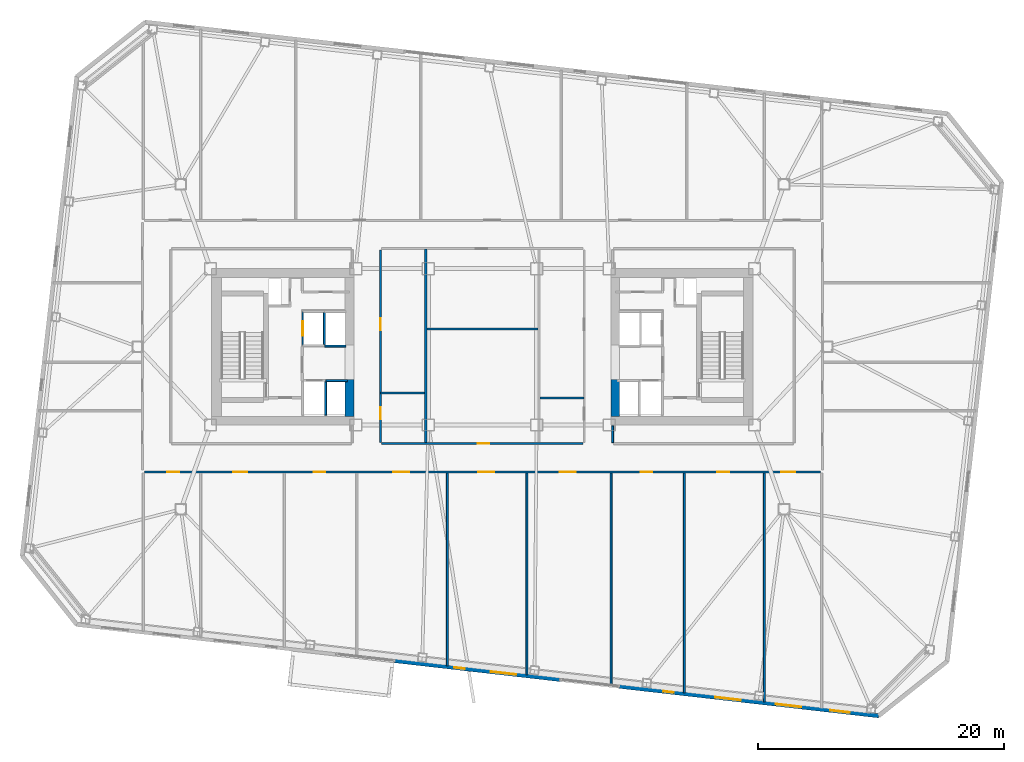
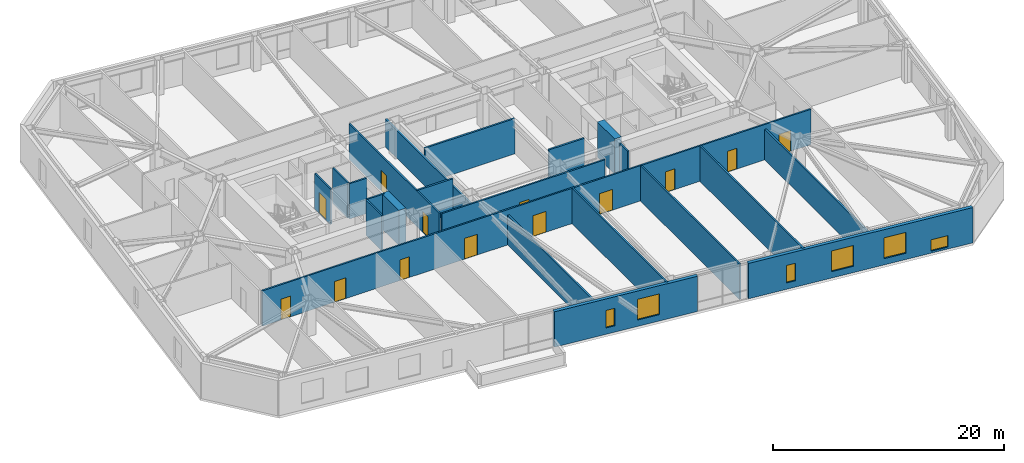
# One storey, part 12 of 20: 22 walls, 13 doors, 6 windows, 19 openings.
"""IFC4 building model written with IfcOpenShell, lengths in metres."""

from ifc_helpers import new_model, si_unit, direction, frame, frame_2d, origin, place, context, subcontext, project, spatial, rectangle, extrude, material, layer, layer_set, type_object, element, fill, save


model = new_model("IFC4")

# Units and contexts
model_context = context("Model", 3, precision=1e-05, world=origin(), true_north=direction((0.0, 1.0)))
body_context = subcontext(model_context, "Body", "Model", "MODEL_VIEW")
ifc_project = project(units=[si_unit("LENGTHUNIT", "METRE"), si_unit("AREAUNIT", "SQUARE_METRE"), si_unit("VOLUMEUNIT", "CUBIC_METRE"), si_unit("PLANEANGLEUNIT", "RADIAN"), si_unit("MASSUNIT", "GRAM", prefix="KILO")], contexts=[model_context])

# Site, building, storey
site_placement = place(None, origin())
site = spatial("IfcSite", under=ifc_project, at=site_placement, CompositionType="ELEMENT")
building_placement = place(site_placement, origin())
building = spatial("IfcBuilding", under=site, at=building_placement, Name="Tavrogorsk Clinical Tower", CompositionType="ELEMENT")
storey_placement = place(building_placement, frame((0.0, 0.0, 105.39990234375)))
storey = spatial("IfcBuildingStorey", under=building, at=storey_placement, Name="L23", CompositionType="ELEMENT", Elevation=105.39990234375)

# Wall, openings, doors
ifc_material_1 = material(Name="Lightweight concrete blockwork B15", Category="masonry")
ifc_layer_1 = layer(ifc_material_1, 0.159912109375)
ifc_layer_set_1 = layer_set([ifc_layer_1], Name="Lightweight concrete blockwork B15")
wall_type_1 = type_object("IfcWallType", Name="PartitionWall_160", PredefinedType="PARTITIONING", material=ifc_layer_set_1)
wall_1_placement = place(storey_placement, frame((27.465087890625, -10.179931640625, 0.0), z_axis=(0.0, 0.0, 1.0), x_axis=(-1.0, 0.0, 0.0)))
wall_1 = element("IfcWall", 1, at=wall_1_placement, inside=storey, type_object=wall_type_1, Name="L23 Corridor Partition 04", PredefinedType="PARTITIONING", context=body_context, shape_type="SweptSolid", body=[
    extrude(rectangle(XDim=54.93017578125, YDim=0.159912109375, at=frame_2d((27.465087890625, 0.0))), origin(), (0.0, 0.0, 1.0), 3.739990234375),
])
opening_1_placement = place(wall_1_placement, frame((52.10595703125, 0.0, 0.0)))
opening_1 = element("IfcOpeningElement", 2, at=opening_1_placement, cuts=wall_1, Name="Opening ID-02", PredefinedType="OPENING", context=body_context, shape_type="SweptSolid", body=[
    extrude(rectangle(XDim=0.949951171875, YDim=2.199951171875, at=frame_2d((0.47509765625, 1.10009765625))), frame((0.0, 0.08984375, 0.0), z_axis=(0.0, -1.0, 0.0), x_axis=(1.0, 0.0, 0.0)), (0.0, 0.0, 1.0), 0.179931640625),
])
opening_2_placement = place(wall_1_placement, frame((46.574951171875, 0.0, 0.0)))
opening_2 = element("IfcOpeningElement", 3, at=opening_2_placement, cuts=wall_1, Name="Opening ID-06", PredefinedType="OPENING", context=body_context, shape_type="SweptSolid", body=[
    extrude(rectangle(XDim=1.14990234375, YDim=2.199951171875, at=frame_2d((0.574951171875, 1.10009765625))), frame((0.0, 0.08984375, 0.0), z_axis=(0.0, -1.0, 0.0), x_axis=(1.0, 0.0, 0.0)), (0.0, 0.0, 1.0), 0.179931640625),
])
opening_3_placement = place(wall_1_placement, frame((40.22509765625, 0.0, 0.0)))
opening_3 = element("IfcOpeningElement", 4, at=opening_3_placement, cuts=wall_1, Name="Opening ID-02", PredefinedType="OPENING", context=body_context, shape_type="SweptSolid", body=[
    extrude(rectangle(XDim=0.949951171875, YDim=2.199951171875, at=frame_2d((0.47509765625, 1.10009765625))), frame((0.0, 0.08984375, 0.0), z_axis=(0.0, -1.0, 0.0), x_axis=(1.0, 0.0, 0.0)), (0.0, 0.0, 1.0), 0.179931640625),
])
opening_4_placement = place(wall_1_placement, frame((33.425048828125, 0.0, 0.0)))
opening_4 = element("IfcOpeningElement", 5, at=opening_4_placement, cuts=wall_1, Name="Opening ID-01", PredefinedType="OPENING", context=body_context, shape_type="SweptSolid", body=[
    extrude(rectangle(XDim=1.300048828125, YDim=2.199951171875, at=frame_2d((0.64990234375, 1.10009765625))), frame((0.0, 0.08984375, 0.0), z_axis=(0.0, -1.0, 0.0), x_axis=(1.0, 0.0, 0.0)), (0.0, 0.0, 1.0), 0.179931640625),
])
opening_5_placement = place(wall_1_placement, frame((26.52490234375, 0.0, 0.0)))
opening_5 = element("IfcOpeningElement", 6, at=opening_5_placement, cuts=wall_1, Name="Opening ID-01", PredefinedType="OPENING", context=body_context, shape_type="SweptSolid", body=[
    extrude(rectangle(XDim=1.300048828125, YDim=2.199951171875, at=frame_2d((0.64990234375, 1.10009765625))), frame((0.0, 0.08984375, 0.0), z_axis=(0.0, -1.0, 0.0), x_axis=(1.0, 0.0, 0.0)), (0.0, 0.0, 1.0), 0.179931640625),
])
opening_6_placement = place(wall_1_placement, frame((19.875, 0.0, 0.0)))
opening_6 = element("IfcOpeningElement", 7, at=opening_6_placement, cuts=wall_1, Name="Opening ID-01", PredefinedType="OPENING", context=body_context, shape_type="SweptSolid", body=[
    extrude(rectangle(XDim=1.300048828125, YDim=2.199951171875, at=frame_2d((0.64990234375, 1.10009765625))), frame((0.0, 0.08984375, 0.0), z_axis=(0.0, -1.0, 0.0), x_axis=(1.0, 0.0, 0.0)), (0.0, 0.0, 1.0), 0.179931640625),
])
opening_7_placement = place(wall_1_placement, frame((13.64990234375, 0.0, 0.0)))
opening_7 = element("IfcOpeningElement", 8, at=opening_7_placement, cuts=wall_1, Name="Opening ID-02", PredefinedType="OPENING", context=body_context, shape_type="SweptSolid", body=[
    extrude(rectangle(XDim=0.949951171875, YDim=2.199951171875, at=frame_2d((0.47509765625, 1.10009765625))), frame((0.0, 0.08984375, 0.0), z_axis=(0.0, -1.0, 0.0), x_axis=(1.0, 0.0, 0.0)), (0.0, 0.0, 1.0), 0.179931640625),
])
opening_8_placement = place(wall_1_placement, frame((7.425048828125, 0.0, 0.0)))
opening_8 = element("IfcOpeningElement", 9, at=opening_8_placement, cuts=wall_1, Name="Opening ID-02", PredefinedType="OPENING", context=body_context, shape_type="SweptSolid", body=[
    extrude(rectangle(XDim=0.949951171875, YDim=2.199951171875, at=frame_2d((0.47509765625, 1.10009765625))), frame((0.0, 0.08984375, 0.0), z_axis=(0.0, -1.0, 0.0), x_axis=(1.0, 0.0, 0.0)), (0.0, 0.0, 1.0), 0.179931640625),
])
opening_9_placement = place(wall_1_placement, frame((2.044189453125, 0.0, 0.0)))
opening_9 = element("IfcOpeningElement", 10, at=opening_9_placement, cuts=wall_1, Name="Opening ID-06", PredefinedType="OPENING", context=body_context, shape_type="SweptSolid", body=[
    extrude(rectangle(XDim=1.14990234375, YDim=2.199951171875, at=frame_2d((0.574951171875, 1.10009765625))), frame((0.0, 0.08984375, 0.0), z_axis=(0.0, -1.0, 0.0), x_axis=(1.0, 0.0, 0.0)), (0.0, 0.0, 1.0), 0.179931640625),
])
ifc_material_2 = material(Name="Laminated timber leaf on aluminium frame", Category="wood")
door_type_1 = type_object("IfcDoorType", Name="InteriorDoor_ID02_950", OperationType="NOTDEFINED", PredefinedType="DOOR", material=ifc_material_2)
door_1_placement = place(opening_1_placement, origin())
door_1 = element("IfcDoor", 11, at=door_1_placement, inside=storey, type_object=door_type_1, Name="L23 South Clinical Case Seminar Room 01 Door", OperationType="SINGLE_SWING_RIGHT", OverallHeight=2.199951171875, OverallWidth=0.949951171875, PredefinedType="DOOR", context=body_context, shape_type="SweptSolid", body=[
    extrude(rectangle(XDim=0.949951171875, YDim=2.199951171875, at=frame_2d((0.47509765625, 1.10009765625))), frame((0.0, 0.02490234375, 0.0), z_axis=(0.0, -1.0, 0.0), x_axis=(1.0, 0.0, 0.0)), (0.0, 0.0, 1.0), 0.050048828125),
])
fill(opening_1, door_1)
door_2_placement = place(opening_3_placement, origin())
door_2 = element("IfcDoor", 12, at=door_2_placement, inside=storey, type_object=door_type_1, Name="L23 South Attending Physician Office 02B Door", OperationType="SINGLE_SWING_RIGHT", OverallHeight=2.199951171875, OverallWidth=0.949951171875, PredefinedType="DOOR", context=body_context, shape_type="SweptSolid", body=[
    extrude(rectangle(XDim=0.949951171875, YDim=2.199951171875, at=frame_2d((0.47509765625, 1.10009765625))), frame((0.0, 0.02490234375, 0.0), z_axis=(0.0, -1.0, 0.0), x_axis=(1.0, 0.0, 0.0)), (0.0, 0.0, 1.0), 0.050048828125),
])
fill(opening_3, door_2)
door_3_placement = place(opening_7_placement, origin())
door_3 = element("IfcDoor", 13, at=door_3_placement, inside=storey, type_object=door_type_1, Name="L23 South Clean Medication & Prep Room 04B Door", OperationType="SINGLE_SWING_RIGHT", OverallHeight=2.199951171875, OverallWidth=0.949951171875, PredefinedType="DOOR", context=body_context, shape_type="SweptSolid", body=[
    extrude(rectangle(XDim=0.949951171875, YDim=2.199951171875, at=frame_2d((0.47509765625, 1.10009765625))), frame((0.0, 0.02490234375, 0.0), z_axis=(0.0, -1.0, 0.0), x_axis=(1.0, 0.0, 0.0)), (0.0, 0.0, 1.0), 0.050048828125),
])
fill(opening_7, door_3)
door_4_placement = place(opening_8_placement, origin())
door_4 = element("IfcDoor", 14, at=door_4_placement, inside=storey, type_object=door_type_1, Name="L23 South Soiled Utility & Sluice Room 05 Door", OperationType="SINGLE_SWING_LEFT", OverallHeight=2.199951171875, OverallWidth=0.949951171875, PredefinedType="DOOR", context=body_context, shape_type="SweptSolid", body=[
    extrude(rectangle(XDim=0.949951171875, YDim=2.199951171875, at=frame_2d((0.47509765625, 1.10009765625))), frame((0.0, 0.02490234375, 0.0), z_axis=(0.0, -1.0, 0.0), x_axis=(1.0, 0.0, 0.0)), (0.0, 0.0, 1.0), 0.050048828125),
])
fill(opening_8, door_4)
ifc_material_3 = material(Name="Antibacterial HPL procedure door on aluminium frame", Category="aluminium")
door_type_2 = type_object("IfcDoorType", Name="LabDoor_ID06_1150", OperationType="NOTDEFINED", PredefinedType="DOOR", material=ifc_material_3)
door_5_placement = place(opening_2_placement, origin())
door_5 = element("IfcDoor", 15, at=door_5_placement, inside=storey, type_object=door_type_2, Name="L23 South Staff Rest & Nourishment Lounge 02A Door", OperationType="SINGLE_SWING_LEFT", OverallHeight=2.199951171875, OverallWidth=1.14990234375, PredefinedType="DOOR", context=body_context, shape_type="SweptSolid", body=[
    extrude(rectangle(XDim=1.14990234375, YDim=2.199951171875, at=frame_2d((0.574951171875, 1.10009765625))), frame((0.0, 0.02490234375, 0.0), z_axis=(0.0, -1.0, 0.0), x_axis=(1.0, 0.0, 0.0)), (0.0, 0.0, 1.0), 0.050048828125),
])
fill(opening_2, door_5)
door_6_placement = place(opening_9_placement, origin())
door_6 = element("IfcDoor", 16, at=door_6_placement, inside=storey, type_object=door_type_2, Name="L23 South Clinical Case Seminar Room 06 Door", OperationType="SINGLE_SWING_RIGHT", OverallHeight=2.199951171875, OverallWidth=1.14990234375, PredefinedType="DOOR", context=body_context, shape_type="SweptSolid", body=[
    extrude(rectangle(XDim=1.14990234375, YDim=2.199951171875, at=frame_2d((0.574951171875, 1.10009765625))), frame((0.0, 0.02490234375, 0.0), z_axis=(0.0, -1.0, 0.0), x_axis=(1.0, 0.0, 0.0)), (0.0, 0.0, 1.0), 0.050048828125),
])
fill(opening_9, door_6)
ifc_material_4 = material(Name="Antibacterial HPL medical leaf on aluminium frame", Category="aluminium")
door_type_3 = type_object("IfcDoorType", Name="WardBedDoor_ID01_1300", OperationType="NOTDEFINED", PredefinedType="DOOR", material=ifc_material_4)
door_7_placement = place(opening_4_placement, origin())
door_7 = element("IfcDoor", 17, at=door_7_placement, inside=storey, type_object=door_type_3, Name="L23 South Bariatric Observation Ward 03A Door", OperationType="SINGLE_SWING_LEFT", OverallHeight=2.199951171875, OverallWidth=1.300048828125, PredefinedType="DOOR", context=body_context, shape_type="SweptSolid", body=[
    extrude(rectangle(XDim=1.300048828125, YDim=2.199951171875, at=frame_2d((0.64990234375, 1.10009765625))), frame((0.0, 0.02490234375, 0.0), z_axis=(0.0, -1.0, 0.0), x_axis=(1.0, 0.0, 0.0)), (0.0, 0.0, 1.0), 0.050048828125),
])
fill(opening_4, door_7)
door_8_placement = place(opening_5_placement, origin())
door_8 = element("IfcDoor", 18, at=door_8_placement, inside=storey, type_object=door_type_3, Name="L23 South Acute Medical Ward 03B Door", OperationType="SINGLE_SWING_RIGHT", OverallHeight=2.199951171875, OverallWidth=1.300048828125, PredefinedType="DOOR", context=body_context, shape_type="SweptSolid", body=[
    extrude(rectangle(XDim=1.300048828125, YDim=2.199951171875, at=frame_2d((0.64990234375, 1.10009765625))), frame((0.0, 0.02490234375, 0.0), z_axis=(0.0, -1.0, 0.0), x_axis=(1.0, 0.0, 0.0)), (0.0, 0.0, 1.0), 0.050048828125),
])
fill(opening_5, door_8)
door_9_placement = place(opening_6_placement, origin())
door_9 = element("IfcDoor", 19, at=door_9_placement, inside=storey, type_object=door_type_3, Name="L23 South Surgical Step-Down Ward 04A Door", OperationType="SINGLE_SWING_LEFT", OverallHeight=2.199951171875, OverallWidth=1.300048828125, PredefinedType="DOOR", context=body_context, shape_type="SweptSolid", body=[
    extrude(rectangle(XDim=1.300048828125, YDim=2.199951171875, at=frame_2d((0.64990234375, 1.10009765625))), frame((0.0, 0.02490234375, 0.0), z_axis=(0.0, -1.0, 0.0), x_axis=(1.0, 0.0, 0.0)), (0.0, 0.0, 1.0), 0.050048828125),
])
fill(opening_6, door_9)

# Wall
wall_2_placement = place(storey_placement, frame((10.580078125, -6.419921875, 0.0), z_axis=(0.0, 0.0, 1.0), x_axis=(0.0, -1.0, 0.0)))
element("IfcWall", 20, at=wall_2_placement, inside=storey, type_object=wall_type_1, Name="L23 Corridor Partition 07", PredefinedType="PARTITIONING", context=body_context, shape_type="SweptSolid", body=[
    extrude(rectangle(XDim=1.364990234375, YDim=0.159912109375, at=frame_2d((0.6826171875, 0.0))), origin(), (0.0, 0.0, 1.0), 3.739990234375),
])

# Wall, openings, doors
wall_3_placement = place(storey_placement, frame((-8.27001953125, 7.885009765625, 0.0), z_axis=(0.0, 0.0, 1.0), x_axis=(0.0, -1.0, 0.0)))
wall_3 = element("IfcWall", 21, at=wall_3_placement, inside=storey, type_object=wall_type_1, Name="L23 Corridor Partition 12", PredefinedType="PARTITIONING", context=body_context, shape_type="SweptSolid", body=[
    extrude(rectangle(XDim=15.669921875, YDim=0.159912109375, at=frame_2d((7.8349609375, 0.0))), origin(), (0.0, 0.0, 1.0), 3.739990234375),
])
opening_10_placement = place(wall_3_placement, frame((12.810791015625, 0.0, 0.0)))
opening_10 = element("IfcOpeningElement", 22, at=opening_10_placement, cuts=wall_3, Name="Opening ID-02", PredefinedType="OPENING", context=body_context, shape_type="SweptSolid", body=[
    extrude(rectangle(XDim=0.949951171875, YDim=2.199951171875, at=frame_2d((0.47509765625, 1.10009765625))), frame((0.0, 0.08984375, 0.0), z_axis=(0.0, -1.0, 0.0), x_axis=(1.0, 0.0, 0.0)), (0.0, 0.0, 1.0), 0.179931640625),
])
opening_11_placement = place(wall_3_placement, frame((5.5791015625, 0.0, 0.0)))
opening_11 = element("IfcOpeningElement", 23, at=opening_11_placement, cuts=wall_3, Name="Opening ID-02", PredefinedType="OPENING", context=body_context, shape_type="SweptSolid", body=[
    extrude(rectangle(XDim=0.949951171875, YDim=2.199951171875, at=frame_2d((0.47509765625, 1.10009765625))), frame((0.0, 0.08984375, 0.0), z_axis=(0.0, -1.0, 0.0), x_axis=(1.0, 0.0, 0.0)), (0.0, 0.0, 1.0), 0.179931640625),
])
door_10_placement = place(opening_10_placement, origin())
door_10 = element("IfcDoor", 24, at=door_10_placement, inside=storey, type_object=door_type_1, Name="L23 Accessible Patient Lavatory Door", OperationType="SINGLE_SWING_LEFT", OverallHeight=2.199951171875, OverallWidth=0.949951171875, PredefinedType="DOOR", context=body_context, shape_type="SweptSolid", body=[
    extrude(rectangle(XDim=0.949951171875, YDim=2.199951171875, at=frame_2d((0.47509765625, 1.10009765625))), frame((0.0, 0.02490234375, 0.0), z_axis=(0.0, -1.0, 0.0), x_axis=(1.0, 0.0, 0.0)), (0.0, 0.0, 1.0), 0.050048828125),
])
fill(opening_10, door_10)
door_11_placement = place(opening_11_placement, origin())
door_11 = element("IfcDoor", 25, at=door_11_placement, inside=storey, type_object=door_type_1, Name="L23 Ward Nourishment Pantry Door", OperationType="SINGLE_SWING_RIGHT", OverallHeight=2.199951171875, OverallWidth=0.949951171875, PredefinedType="DOOR", context=body_context, shape_type="SweptSolid", body=[
    extrude(rectangle(XDim=0.949951171875, YDim=2.199951171875, at=frame_2d((0.47509765625, 1.10009765625))), frame((0.0, 0.02490234375, 0.0), z_axis=(0.0, -1.0, 0.0), x_axis=(1.0, 0.0, 0.0)), (0.0, 0.0, 1.0), 0.050048828125),
])
fill(opening_11, door_11)

# Wall, opening, door
wall_4_placement = place(storey_placement, frame((-8.18505859375, -7.8701171875, 0.0), z_axis=(0.0, 0.0, 1.0), x_axis=(1.0, 0.0, 0.0)))
wall_4 = element("IfcWall", 26, at=wall_4_placement, inside=storey, type_object=wall_type_1, Name="L23 Corridor Partition 13", PredefinedType="PARTITIONING", context=body_context, shape_type="SweptSolid", body=[
    extrude(rectangle(XDim=16.3701171875, YDim=0.159912109375, at=frame_2d((8.18505859375, 0.0))), origin(), (0.0, 0.0, 1.0), 3.739990234375),
])
opening_12_placement = place(wall_4_placement, frame((7.794921875, 0.0, 0.0)))
opening_12 = element("IfcOpeningElement", 27, at=opening_12_placement, cuts=wall_4, Name="Opening ID-02", PredefinedType="OPENING", context=body_context, shape_type="SweptSolid", body=[
    extrude(rectangle(XDim=0.949951171875, YDim=2.199951171875, at=frame_2d((0.47509765625, 1.10009765625))), frame((0.0, 0.08984375, 0.0), z_axis=(0.0, -1.0, 0.0), x_axis=(1.0, 0.0, 0.0)), (0.0, 0.0, 1.0), 0.179931640625),
])
door_12_placement = place(opening_12_placement, origin())
door_12 = element("IfcDoor", 28, at=door_12_placement, inside=storey, type_object=door_type_1, Name="L23 Multidisciplinary Conference Room Door", OperationType="SINGLE_SWING_LEFT", OverallHeight=2.199951171875, OverallWidth=0.949951171875, PredefinedType="DOOR", context=body_context, shape_type="SweptSolid", body=[
    extrude(rectangle(XDim=0.949951171875, YDim=2.199951171875, at=frame_2d((0.47509765625, 1.10009765625))), frame((0.0, 0.02490234375, 0.0), z_axis=(0.0, -1.0, 0.0), x_axis=(1.0, 0.0, 0.0)), (0.0, 0.0, 1.0), 0.050048828125),
])
fill(opening_12, door_12)

# Walls
wall_5_placement = place(storey_placement, frame((3.60009765625, -26.655517578125, 0.0), z_axis=(0.0, 0.0, 1.0), x_axis=(0.0, 1.0, 0.0)))
element("IfcWall", 29, at=wall_5_placement, inside=storey, type_object=wall_type_1, Name="L23 South Room Partition 3", PredefinedType="PARTITIONING", context=body_context, shape_type="SweptSolid", body=[
    extrude(rectangle(XDim=16.390625, YDim=0.159912109375, at=frame_2d((8.1953125, 0.0))), origin(), (0.0, 0.0, 1.0), 3.739990234375),
])
wall_6_placement = place(storey_placement, frame((16.39990234375, -28.114013671875, 0.0), z_axis=(0.0, 0.0, 1.0), x_axis=(0.0, 1.0, 0.0)))
element("IfcWall", 30, at=wall_6_placement, inside=storey, type_object=wall_type_1, Name="L23 South Room Partition 4", PredefinedType="PARTITIONING", context=body_context, shape_type="SweptSolid", body=[
    extrude(rectangle(XDim=17.84912109375, YDim=0.159912109375, at=frame_2d((8.924560546875, 0.0))), origin(), (0.0, 0.0, 1.0), 3.739990234375),
])
wall_7_placement = place(storey_placement, frame((22.89990234375, -28.8544921875, 0.0), z_axis=(0.0, 0.0, 1.0), x_axis=(0.0, 1.0, 0.0)))
element("IfcWall", 31, at=wall_7_placement, inside=storey, type_object=wall_type_1, Name="L23 South Room Partition 5", PredefinedType="PARTITIONING", context=body_context, shape_type="SweptSolid", body=[
    extrude(rectangle(XDim=18.589599609375, YDim=0.159912109375, at=frame_2d((9.294921875, 0.0))), origin(), (0.0, 0.0, 1.0), 3.235107421875),
])
wall_8_placement = place(storey_placement, frame((-2.85009765625, -25.920654296875, 0.0), z_axis=(0.0, 0.0, 1.0), x_axis=(0.0, 1.0, 0.0)))
element("IfcWall", 32, at=wall_8_placement, inside=storey, type_object=wall_type_1, Name="L23 South Sub-Partition 3", PredefinedType="PARTITIONING", context=body_context, shape_type="SweptSolid", body=[
    extrude(rectangle(XDim=15.65576171875, YDim=0.159912109375, at=frame_2d((7.827880859375, 0.0))), origin(), (0.0, 0.0, 1.0), 3.1650390625),
])
wall_9_placement = place(storey_placement, frame((10.449951171875, -27.43603515625, 0.0), z_axis=(0.0, 0.0, 1.0), x_axis=(0.0, 1.0, 0.0)))
element("IfcWall", 33, at=wall_9_placement, inside=storey, type_object=wall_type_1, Name="L23 South Sub-Partition 4", PredefinedType="PARTITIONING", context=body_context, shape_type="SweptSolid", body=[
    extrude(rectangle(XDim=17.171142578125, YDim=0.159912109375, at=frame_2d((8.58544921875, 0.0))), origin(), (0.0, 0.0, 1.0), 3.739990234375),
])
ifc_material_5 = material(Name="Lightweight concrete blockwork B20", Category="masonry")
ifc_layer_2 = layer(ifc_material_5, 0.179931640625)
ifc_layer_set_2 = layer_set([ifc_layer_2], Name="Lightweight concrete blockwork B20")
wall_type_2 = type_object("IfcWallType", Name="PartitionWall_180", PredefinedType="PARTITIONING", material=ifc_layer_set_2)
wall_10_placement = place(storey_placement, frame((-4.60009765625, -7.864990234375, 0.0), z_axis=(0.0, 0.0, 1.0), x_axis=(0.0, 1.0, 0.0)))
element("IfcWall", 34, at=wall_10_placement, inside=storey, type_object=wall_type_2, Name="L23 Central Spine Partition 1", PredefinedType="PARTITIONING", context=body_context, shape_type="SweptSolid", body=[
    extrude(rectangle(XDim=15.830078125, YDim=0.179931640625, at=frame_2d((7.9150390625, 0.0))), origin(), (0.0, 0.0, 1.0), 2.93505859375),
])
wall_11_placement = place(storey_placement, frame((-4.5048828125, 1.449951171875, 0.0), z_axis=(0.0, 0.0, 1.0), x_axis=(1.0, 0.0, 0.0)))
element("IfcWall", 35, at=wall_11_placement, inside=storey, type_object=wall_type_2, Name="L23 Central Spine Partition 3", PredefinedType="PARTITIONING", context=body_context, shape_type="SweptSolid", body=[
    extrude(rectangle(XDim=9.009765625, YDim=0.179931640625, at=frame_2d((4.5048828125, 0.0))), origin(), (0.0, 0.0, 1.0), 3.739990234375),
])
for number, where, z_axis, x_axis, name in (
    (36, (-8.264892578125, -3.75, 0.0), (0.0, 0.0, 1.0), (1.0, 0.0, 0.0), "L23 Central Spine Partition 4"),
    (37, (4.695068359375, -4.14990234375, 0.0), (0.0, 0.0, 1.0), (1.0, 0.0, 0.0), "L23 Central Spine Partition 5"),
):
    element("IfcWall", number, at=place(storey_placement, frame(where, z_axis=z_axis, x_axis=x_axis)), inside=storey, type_object=wall_type_2, Name=name, PredefinedType="PARTITIONING", context=body_context, shape_type="SweptSolid", body=[
        extrude(rectangle(XDim=3.56982421875, YDim=0.179931640625, at=frame_2d((1.784912109375, 0.0))), origin(), (0.0, 0.0, 1.0), 3.739990234375),
    ])

# Wall, openings, windows
ifc_material_6 = material(Name="Precast concrete B45 with limestone cladding", Category="masonry")
ifc_layer_3 = layer(ifc_material_6, 0.340087890625)
ifc_layer_set_3 = layer_set([ifc_layer_3], Name="Precast concrete B45 with limestone cladding")
wall_type_3 = type_object("IfcWallType", Name="PrecastLimestoneWall_340", PredefinedType="STANDARD", material=ifc_layer_set_3)
wall_12_placement = place(storey_placement, frame((-7.121826171875, -25.50439453125, 0.0), z_axis=(0.0, 0.0, 1.0), x_axis=(0.993571685551, -0.11320470693, 0.0)))
wall_12 = element("IfcWall", 38, at=wall_12_placement, inside=storey, type_object=wall_type_3, Name="L23 S Limestone Facade Wall 2", PredefinedType="STANDARD", context=body_context, shape_type="SweptSolid", body=[
    extrude(rectangle(XDim=13.554443359375, YDim=0.340087890625, at=frame_2d((6.77734375, 0.0))), origin(), (0.0, 0.0, 1.0), 3.739990234375),
])
opening_13_placement = place(wall_12_placement, frame((4.866455078125, 0.0, 0.669921875)))
opening_13 = element("IfcOpeningElement", 39, at=opening_13_placement, cuts=wall_12, Name="Opening WN-06", PredefinedType="OPENING", context=body_context, shape_type="SweptSolid", body=[
    extrude(rectangle(XDim=0.85009765625, YDim=1.85009765625, at=frame_2d((0.425048828125, 0.925048828125))), frame((0.0, 0.179931640625, 0.0), z_axis=(0.0, -1.0, 0.0), x_axis=(1.0, 0.0, 0.0)), (0.0, 0.0, 1.0), 0.360107421875),
])
opening_14_placement = place(wall_12_placement, frame((7.837890625, 0.0, 0.669921875)))
opening_14 = element("IfcOpeningElement", 40, at=opening_14_placement, cuts=wall_12, Name="Opening WN-03", PredefinedType="OPENING", context=body_context, shape_type="SweptSolid", body=[
    extrude(rectangle(XDim=2.10009765625, YDim=2.199951171875, at=frame_2d((1.050048828125, 1.10009765625))), frame((0.0, 0.179931640625, 0.0), z_axis=(0.0, -1.0, 0.0), x_axis=(1.0, 0.0, 0.0)), (0.0, 0.0, 1.0), 0.360107421875),
])
ifc_material_7 = material(Name="Thermally broken aluminium frame and triple IGU", Category="aluminium")
window_type_1 = type_object("IfcWindowType", Name="MullionSubWin_850x1850", PartitioningType="SINGLE_PANEL", PredefinedType="WINDOW", material=ifc_material_7)
window_1_placement = place(opening_13_placement, origin())
window_1 = element("IfcWindow", 41, at=window_1_placement, inside=storey, type_object=window_type_1, Name="L23 S Mullion Split Window 05B", OverallHeight=1.85009765625, OverallWidth=0.85009765625, PartitioningType="SINGLE_PANEL", PredefinedType="WINDOW", context=body_context, shape_type="SweptSolid", body=[
    extrude(rectangle(XDim=0.85009765625, YDim=1.85009765625, at=frame_2d((0.425048828125, 0.925048828125))), frame((0.0, 0.030029296875, 0.0), z_axis=(0.0, -1.0, 0.0), x_axis=(1.0, 0.0, 0.0)), (0.0, 0.0, 1.0), 0.06005859375),
])
fill(opening_13, window_1)
ifc_material_8 = material(Name="Thermally broken aluminium frame and triple IGU", Category="aluminium")
window_type_2 = type_object("IfcWindowType", Name="PatientTwinWin_2100x2200", PartitioningType="DOUBLE_PANEL_VERTICAL", PredefinedType="WINDOW", material=ifc_material_8)
window_2_placement = place(opening_14_placement, origin())
window_2 = element("IfcWindow", 42, at=window_2_placement, inside=storey, type_object=window_type_2, Name="L23 S Chicago Window 06", OverallHeight=2.199951171875, OverallWidth=2.10009765625, PartitioningType="SINGLE_PANEL", PredefinedType="WINDOW", context=body_context, shape_type="SweptSolid", body=[
    extrude(rectangle(XDim=2.10009765625, YDim=2.199951171875, at=frame_2d((1.050048828125, 1.10009765625))), frame((0.0, 0.030029296875, 0.0), z_axis=(0.0, -1.0, 0.0), x_axis=(1.0, 0.0, 0.0)), (0.0, 0.0, 1.0), 0.06005859375),
])
fill(opening_14, window_2)

wall_13_placement = place(storey_placement, frame((11.114501953125, -27.582275390625, 0.0), z_axis=(0.0, 0.0, 1.0), x_axis=(0.993572655904, -0.113196190044, 0.0)))
wall_13 = element("IfcWall", 43, at=wall_13_placement, inside=storey, type_object=wall_type_3, Name="L23 S Limestone Facade Wall 3", PredefinedType="STANDARD", context=body_context, shape_type="SweptSolid", body=[
    extrude(rectangle(XDim=21.222900390625, YDim=0.340087890625, at=frame_2d((10.611328125, 0.0))), origin(), (0.0, 0.0, 1.0), 3.739990234375),
])
opening_15_placement = place(wall_13_placement, frame((3.616455078125, 0.0, 0.669921875)))
opening_15 = element("IfcOpeningElement", 44, at=opening_15_placement, cuts=wall_13, Name="Opening WN-06", PredefinedType="OPENING", context=body_context, shape_type="SweptSolid", body=[
    extrude(rectangle(XDim=0.85009765625, YDim=1.85009765625, at=frame_2d((0.425048828125, 0.925048828125))), frame((0.0, 0.179931640625, 0.0), z_axis=(0.0, -1.0, 0.0), x_axis=(1.0, 0.0, 0.0)), (0.0, 0.0, 1.0), 0.360107421875),
])
opening_16_placement = place(wall_13_placement, frame((7.837890625, 0.0, 0.669921875)))
opening_16 = element("IfcOpeningElement", 45, at=opening_16_placement, cuts=wall_13, Name="Opening WN-03", PredefinedType="OPENING", context=body_context, shape_type="SweptSolid", body=[
    extrude(rectangle(XDim=2.10009765625, YDim=2.199951171875, at=frame_2d((1.050048828125, 1.10009765625))), frame((0.0, 0.179931640625, 0.0), z_axis=(0.0, -1.0, 0.0), x_axis=(1.0, 0.0, 0.0)), (0.0, 0.0, 1.0), 0.360107421875),
])
opening_17_placement = place(wall_13_placement, frame((12.793701171875, 0.0, 0.669921875)))
opening_17 = element("IfcOpeningElement", 46, at=opening_17_placement, cuts=wall_13, Name="Opening WN-03", PredefinedType="OPENING", context=body_context, shape_type="SweptSolid", body=[
    extrude(rectangle(XDim=2.10009765625, YDim=2.199951171875, at=frame_2d((1.050048828125, 1.10009765625))), frame((0.0, 0.179931640625, 0.0), z_axis=(0.0, -1.0, 0.0), x_axis=(1.0, 0.0, 0.0)), (0.0, 0.0, 1.0), 0.360107421875),
])
opening_18_placement = place(wall_13_placement, frame((17.264892578125, 0.0, 0.219970703125)))
opening_18 = element("IfcOpeningElement", 47, at=opening_18_placement, cuts=wall_13, Name="Opening WN-09", PredefinedType="OPENING", context=body_context, shape_type="SweptSolid", body=[
    extrude(rectangle(XDim=1.60009765625, YDim=1.199951171875, at=frame_2d((0.800048828125, 0.60009765625))), frame((0.0, 0.179931640625, 0.0), z_axis=(0.0, -1.0, 0.0), x_axis=(1.0, 0.0, 0.0)), (0.0, 0.0, 1.0), 0.360107421875),
])
ifc_material_9 = material(Name="Thermally broken aluminium frame and triple IGU", Category="aluminium")
window_type_3 = type_object("IfcWindowType", Name="LowHeadTransWin_1600x1200", PartitioningType="DOUBLE_PANEL_VERTICAL", PredefinedType="WINDOW", material=ifc_material_9)
window_3_placement = place(opening_18_placement, origin())
window_3 = element("IfcWindow", 48, at=window_3_placement, inside=storey, type_object=window_type_3, Name="L23 S Chicago Window 10", OverallHeight=1.199951171875, OverallWidth=1.60009765625, PartitioningType="SINGLE_PANEL", PredefinedType="WINDOW", context=body_context, shape_type="SweptSolid", body=[
    extrude(rectangle(XDim=1.60009765625, YDim=1.199951171875, at=frame_2d((0.800048828125, 0.60009765625))), frame((0.0, 0.030029296875, 0.0), z_axis=(0.0, -1.0, 0.0), x_axis=(1.0, 0.0, 0.0)), (0.0, 0.0, 1.0), 0.06005859375),
])
fill(opening_18, window_3)
window_4_placement = place(opening_15_placement, origin())
window_4 = element("IfcWindow", 49, at=window_4_placement, inside=storey, type_object=window_type_1, Name="L23 S Mullion Split Window 07A", OverallHeight=1.85009765625, OverallWidth=0.85009765625, PartitioningType="SINGLE_PANEL", PredefinedType="WINDOW", context=body_context, shape_type="SweptSolid", body=[
    extrude(rectangle(XDim=0.85009765625, YDim=1.85009765625, at=frame_2d((0.425048828125, 0.925048828125))), frame((0.0, 0.030029296875, 0.0), z_axis=(0.0, -1.0, 0.0), x_axis=(1.0, 0.0, 0.0)), (0.0, 0.0, 1.0), 0.06005859375),
])
fill(opening_15, window_4)
window_5_placement = place(opening_16_placement, origin())
window_5 = element("IfcWindow", 50, at=window_5_placement, inside=storey, type_object=window_type_2, Name="L23 S Chicago Window 08", OverallHeight=2.199951171875, OverallWidth=2.10009765625, PartitioningType="SINGLE_PANEL", PredefinedType="WINDOW", context=body_context, shape_type="SweptSolid", body=[
    extrude(rectangle(XDim=2.10009765625, YDim=2.199951171875, at=frame_2d((1.050048828125, 1.10009765625))), frame((0.0, 0.030029296875, 0.0), z_axis=(0.0, -1.0, 0.0), x_axis=(1.0, 0.0, 0.0)), (0.0, 0.0, 1.0), 0.06005859375),
])
fill(opening_16, window_5)
window_6_placement = place(opening_17_placement, origin())
window_6 = element("IfcWindow", 51, at=window_6_placement, inside=storey, type_object=window_type_2, Name="L23 S Chicago Window 09", OverallHeight=2.199951171875, OverallWidth=2.10009765625, PartitioningType="SINGLE_PANEL", PredefinedType="WINDOW", context=body_context, shape_type="SweptSolid", body=[
    extrude(rectangle(XDim=2.10009765625, YDim=2.199951171875, at=frame_2d((1.050048828125, 1.10009765625))), frame((0.0, 0.030029296875, 0.0), z_axis=(0.0, -1.0, 0.0), x_axis=(1.0, 0.0, 0.0)), (0.0, 0.0, 1.0), 0.06005859375),
])
fill(opening_17, window_6)

# Wall, opening, door
ifc_material_10 = material(Name="Lightweight concrete blockwork B25", Category="masonry")
ifc_layer_4 = layer(ifc_material_10, 0.159912109375)
ifc_layer_set_4 = layer_set([ifc_layer_4], Name="Lightweight concrete blockwork B25")
wall_type_4 = type_object("IfcWallType", Name="ShaftWall_160", PredefinedType="PARTITIONING", material=ifc_layer_set_4)
wall_14_placement = place(storey_placement, frame((-14.60009765625, 0.1201171875, 0.0), z_axis=(0.0, 0.0, 1.0), x_axis=(0.0, 1.0, 0.0)))
wall_14 = element("IfcWall", 52, at=wall_14_placement, inside=storey, type_object=wall_type_4, Name="L23 FFL-W Firefighting Lift Front Wall", PredefinedType="PARTITIONING", context=body_context, shape_type="SweptSolid", body=[
    extrude(rectangle(XDim=2.739990234375, YDim=0.159912109375, at=frame_2d((1.3701171875, 0.0))), origin(), (0.0, 0.0, 1.0), 3.739990234375),
])
opening_19_placement = place(wall_14_placement, frame((0.77001953125, 0.0, 0.0)))
opening_19 = element("IfcOpeningElement", 53, at=opening_19_placement, cuts=wall_14, Name="Opening LD", PredefinedType="OPENING", context=body_context, shape_type="SweptSolid", body=[
    extrude(rectangle(XDim=1.199951171875, YDim=2.199951171875, at=frame_2d((0.60009765625, 1.10009765625))), frame((0.0, 0.08984375, 0.0), z_axis=(0.0, -1.0, 0.0), x_axis=(1.0, 0.0, 0.0)), (0.0, 0.0, 1.0), 0.179931640625),
])
ifc_material_11 = material(Name="Brushed stainless steel AISI 304 sliding doors", Category="steel")
door_type_4 = type_object("IfcDoorType", Name="LiftLandingDoor_LD_1200", OperationType="SLIDING_TO_LEFT", PredefinedType="DOOR", material=ifc_material_11)
door_13_placement = place(opening_19_placement, origin())
door_13 = element("IfcDoor", 54, at=door_13_placement, inside=storey, type_object=door_type_4, Name="L23 FFL-W Sliding Lift Landing Door", OperationType="SLIDING_TO_LEFT", OverallHeight=2.199951171875, OverallWidth=1.199951171875, PredefinedType="DOOR", context=body_context, shape_type="SweptSolid", body=[
    extrude(rectangle(XDim=1.199951171875, YDim=2.199951171875, at=frame_2d((0.60009765625, 1.10009765625))), frame((0.0, 0.02490234375, 0.0), z_axis=(0.0, -1.0, 0.0), x_axis=(1.0, 0.0, 0.0)), (0.0, 0.0, 1.0), 0.050048828125),
])
fill(opening_19, door_13)

# Walls
wall_15_placement = place(storey_placement, frame((-12.840087890625, 0.179931640625, 0.0), z_axis=(0.0, 0.0, 1.0), x_axis=(0.0, 1.0, 0.0)))
element("IfcWall", 55, at=wall_15_placement, inside=storey, type_object=wall_type_4, Name="L23 FFL-W Shaft Back Wall", PredefinedType="PARTITIONING", context=body_context, shape_type="SweptSolid", body=[
    extrude(rectangle(XDim=2.6201171875, YDim=0.159912109375, at=frame_2d((1.31005859375, 0.0))), origin(), (0.0, 0.0, 1.0), 3.739990234375),
])
wall_16_placement = place(storey_placement, frame((-12.75, -5.5400390625, 0.0), z_axis=(0.0, 0.0, 1.0), x_axis=(0.0, 1.0, 0.0)))
element("IfcWall", 56, at=wall_16_placement, inside=storey, type_object=wall_type_4, Name="L23 LP-L1 Lift Hoistway Divider Wall", PredefinedType="PARTITIONING", context=body_context, shape_type="SweptSolid", body=[
    extrude(rectangle(XDim=2.699951171875, YDim=0.159912109375, at=frame_2d((1.35009765625, 0.0))), origin(), (0.0, 0.0, 1.0), 3.739990234375),
])
wall_17_placement = place(storey_placement, frame((-12.72998046875, -2.75, 0.0), z_axis=(0.0, 0.0, 1.0), x_axis=(1.0, 0.0, 0.0)))
element("IfcWall", 57, at=wall_17_placement, inside=storey, type_object=wall_type_4, Name="L23 LP-M1 Lift Shaft Portal Wall", PredefinedType="PARTITIONING", context=body_context, shape_type="SweptSolid", body=[
    extrude(rectangle(XDim=1.760009765625, YDim=0.159912109375, at=frame_2d((0.8798828125, 0.0))), origin(), (0.0, 0.0, 1.0), 3.739990234375),
])
wall_18_placement = place(storey_placement, frame((-12.820068359375, 0.06005859375, 0.0), z_axis=(0.0, 0.0, 1.0), x_axis=(1.0, 0.0, 0.0)))
element("IfcWall", 58, at=wall_18_placement, inside=storey, type_object=wall_type_4, Name="L23 LP-H1 High-Zone Lift Portal Wall", PredefinedType="PARTITIONING", context=body_context, shape_type="SweptSolid", body=[
    extrude(rectangle(XDim=1.719970703125, YDim=0.159912109375, at=frame_2d((0.85986328125, 0.0))), origin(), (0.0, 0.0, 1.0), 3.739990234375),
])
ifc_material_12 = material(Name="Concrete B80", Category="concrete")
ifc_layer_5 = layer(ifc_material_12, 0.699951171875)
ifc_layer_set_5 = layer_set([ifc_layer_5], Name="Concrete B80")
wall_type_5 = type_object("IfcWallType", Name="ShearWall_700", PredefinedType="SHEAR", material=ifc_layer_set_5)
for number, where, z_axis, x_axis, name in (
    (59, (-10.800048828125, -5.64990234375, 0.0), (0.0, 0.0, 1.0), (0.0, 1.0, 0.0), "L23 Core West Inner South Pier"),
    (60, (10.800048828125, -5.64990234375, 0.0), (0.0, 0.0, 1.0), (0.0, 1.0, 0.0), "L23 Core East Inner South Pier"),
):
    element("IfcWall", number, at=place(storey_placement, frame(where, z_axis=z_axis, x_axis=x_axis)), inside=storey, type_object=wall_type_5, Name=name, PredefinedType="SHEAR", context=body_context, shape_type="SweptSolid", body=[
        extrude(rectangle(XDim=3.0, YDim=0.699951171875, at=frame_2d((1.5, 0.0))), origin(), (0.0, 0.0, 1.0), 3.739990234375),
    ])

save(model, "model.ifc")
